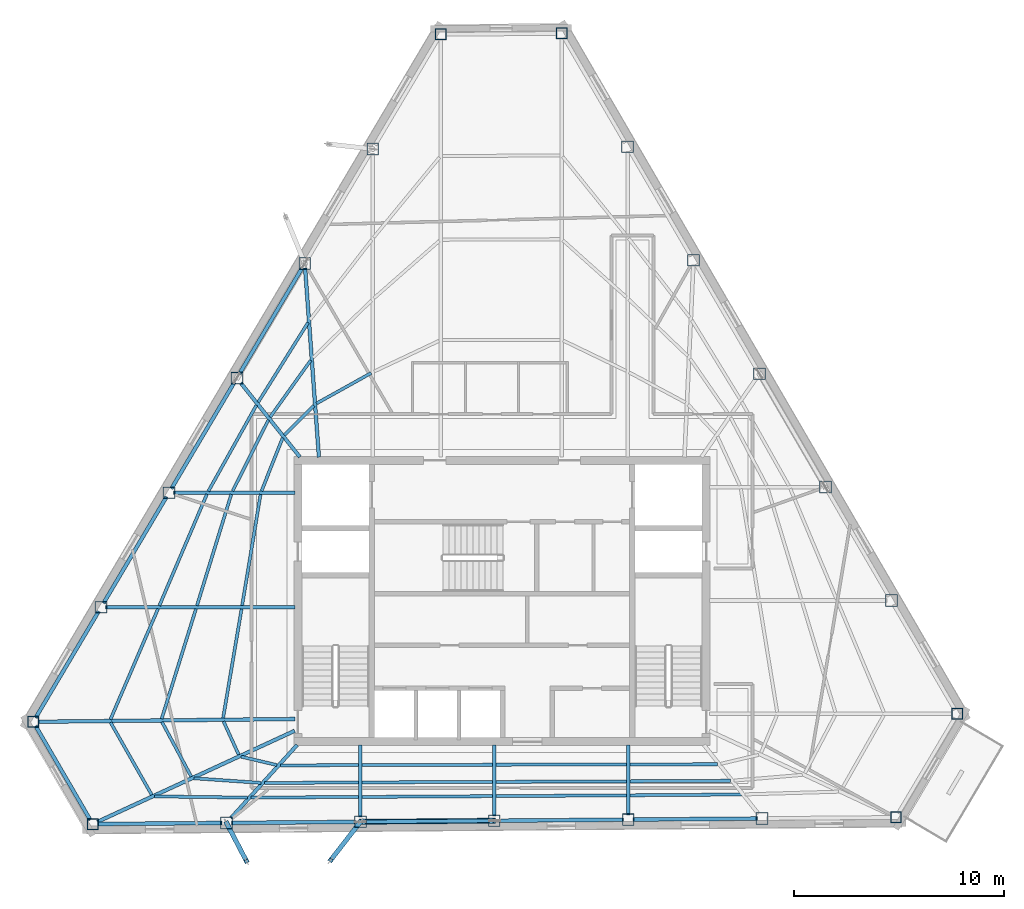
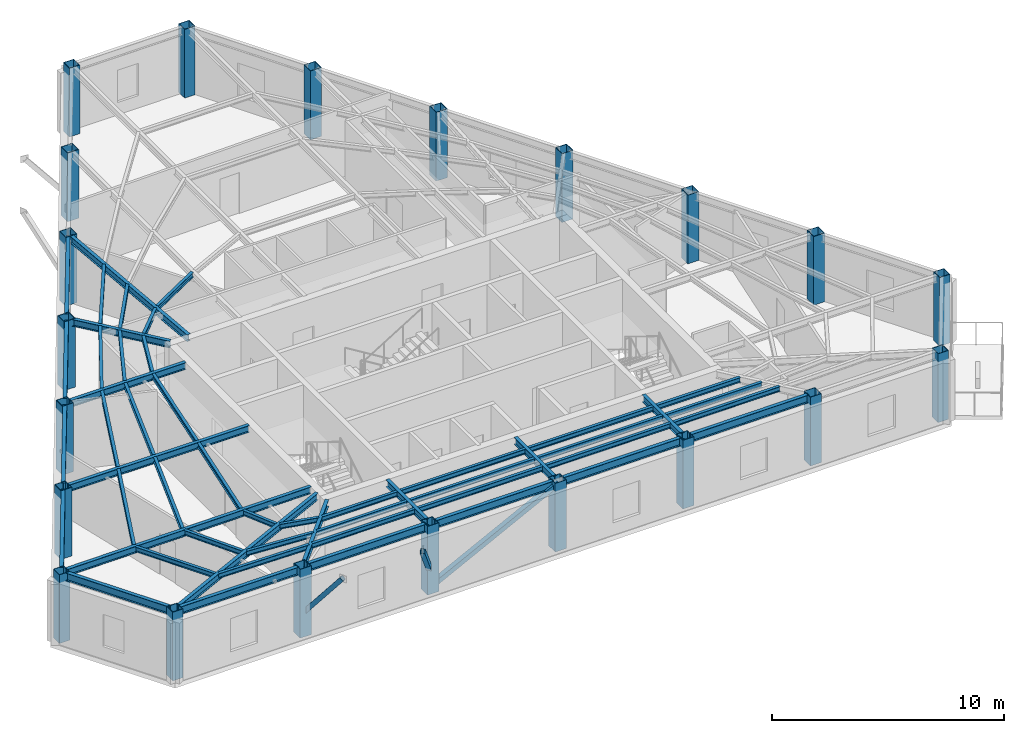
# One storey, part 1 of 10: 51 beams, 21 columns, 3 members.
"""IFC4 building model written with IfcOpenShell, lengths in metres."""

from ifc_helpers import new_model, si_unit, direction, frame, origin, origin_2d, place, context, subcontext, project, spatial, hollow_rectangle, i_section, extrude, material, material_profile, profile_set, type_object, element, save


model = new_model("IFC4")

# Units and contexts
model_context = context("Model", 3, precision=1e-05, world=origin(), true_north=direction((0.0, 1.0)))
body_context = subcontext(model_context, "Body", "Model", "MODEL_VIEW")
ifc_project = project(units=[si_unit("LENGTHUNIT", "METRE"), si_unit("AREAUNIT", "SQUARE_METRE"), si_unit("VOLUMEUNIT", "CUBIC_METRE"), si_unit("PLANEANGLEUNIT", "RADIAN"), si_unit("MASSUNIT", "GRAM", prefix="KILO")], contexts=[model_context])

# Site, building, storey
site_placement = place(None, origin())
site = spatial("IfcSite", under=ifc_project, at=site_placement, CompositionType="ELEMENT")
building_placement = place(site_placement, origin())
building = spatial("IfcBuilding", under=site, at=building_placement, Name="Kavelnor Concourse Tower", CompositionType="ELEMENT")
storey_placement = place(building_placement, frame((0.0, 0.0, 281.85009765625)))
storey = spatial("IfcBuildingStorey", under=building, at=storey_placement, Name="L71", CompositionType="ELEMENT", Elevation=281.85009765625)

# Columns
ifc_material = material(Name="Steel Grade 350", Category="steel")
ifc_material_profile_1 = material_profile(ifc_material, hollow_rectangle(XDim=0.52001953125, YDim=0.52001953125, WallThickness=0.02392578125, at=origin_2d()), Name="SHS 520x520x24")
ifc_profile_set_1 = profile_set([ifc_material_profile_1], Name="Steel Grade 350")
column_type_1 = type_object("IfcColumnType", Name="COL-FOLD-Z4", PredefinedType="COLUMN", material=ifc_profile_set_1)
for number, where, z_axis, x_axis, name in (
    (1, (35.074951171875, 43.052490234375, 0.0), (0.0, 0.0, 1.0), (1.0, 0.0, 0.0), "L71 Perimeter Corner-Fold Column F0-B0"),
    (2, (15.697509765625, 10.352294921875, 0.0), (0.0, 0.0, 1.0), (1.0, 0.0, 0.0), "L71 Perimeter Corner-Fold Column F0-B6"),
    (3, (18.525146484375, 5.4892578125, 0.0), (0.0, 0.0, 1.0), (1.0, 0.0, 0.0), "L71 Perimeter Corner-Fold Column F1-B0"),
    (4, (56.7392578125, 5.804931640625, 0.0), (0.0, 0.0, 1.0), (1.0, 0.0, 0.0), "L71 Perimeter Corner-Fold Column F1-B6"),
    (5, (59.6572265625, 10.7294921875, 0.0), (0.0, 0.0, 1.0), (1.0, 0.0, 0.0), "L71 Perimeter Corner-Fold Column F2-B0"),
    (6, (40.834716796875, 43.10009765625, 0.0), (0.0, 0.0, 1.0), (1.0, 0.0, 0.0), "L71 Perimeter Corner-Fold Column F2-B6"),
):
    element("IfcColumn", number, at=place(storey_placement, frame(where, z_axis=z_axis, x_axis=x_axis)), inside=storey, type_object=column_type_1, Name=name, PredefinedType="COLUMN", context=body_context, shape_type="SweptSolid", body=[
        extrude(hollow_rectangle(XDim=0.52001953125, YDim=0.52001953125, WallThickness=0.02392578125, at=origin_2d()), origin(), (0.0, 0.0, 1.0), 3.60986328125),
    ])
ifc_material_profile_2 = material_profile(ifc_material, hollow_rectangle(XDim=0.56005859375, YDim=0.56005859375, WallThickness=0.02490234375, at=origin_2d()), Name="SHS 560x560x25")
ifc_profile_set_2 = profile_set([ifc_material_profile_2], Name="Steel Grade 350")
column_type_2 = type_object("IfcColumnType", Name="COL-TUBE-Z4", PredefinedType="COLUMN", material=ifc_profile_set_2)
for number, where, z_axis, x_axis, name in (
    (7, (31.84521484375, 37.6025390625, 0.0), (0.0, 0.0, 1.0), (1.0, 0.0, 0.0), "L71 Perimeter Framed-Tube Column F0-B1"),
    (8, (28.61572265625, 32.152587890625, 0.0), (0.0, 0.0, 1.0), (1.0, 0.0, 0.0), "L71 Perimeter Framed-Tube Column F0-B2"),
    (9, (25.38623046875, 26.702392578125, 0.0), (0.0, 0.0, 1.0), (1.0, 0.0, 0.0), "L71 Perimeter Framed-Tube Column F0-B3"),
    (10, (22.156494140625, 21.25244140625, 0.0), (0.0, 0.0, 1.0), (1.0, 0.0, 0.0), "L71 Perimeter Framed-Tube Column F0-B4"),
    (11, (18.927001953125, 15.802490234375, 0.0), (0.0, 0.0, 1.0), (1.0, 0.0, 0.0), "L71 Perimeter Framed-Tube Column F0-B5"),
    (12, (24.894287109375, 5.541748046875, 0.0), (0.0, 0.0, 1.0), (1.0, 0.0, 0.0), "L71 Perimeter Framed-Tube Column F1-B1"),
    (13, (31.26318359375, 5.594482421875, 0.0), (0.0, 0.0, 1.0), (1.0, 0.0, 0.0), "L71 Perimeter Framed-Tube Column F1-B2"),
    (14, (37.632080078125, 5.647216796875, 0.0), (0.0, 0.0, 1.0), (1.0, 0.0, 0.0), "L71 Perimeter Framed-Tube Column F1-B3"),
    (15, (44.001220703125, 5.69970703125, 0.0), (0.0, 0.0, 1.0), (1.0, 0.0, 0.0), "L71 Perimeter Framed-Tube Column F1-B4"),
    (16, (50.3701171875, 5.75244140625, 0.0), (0.0, 0.0, 1.0), (1.0, 0.0, 0.0), "L71 Perimeter Framed-Tube Column F1-B5"),
    (17, (56.520263671875, 16.12451171875, 0.0), (0.0, 0.0, 1.0), (1.0, 0.0, 0.0), "L71 Perimeter Framed-Tube Column F2-B1"),
    (18, (53.383056640625, 21.519775390625, 0.0), (0.0, 0.0, 1.0), (1.0, 0.0, 0.0), "L71 Perimeter Framed-Tube Column F2-B2"),
    (19, (50.24609375, 26.914794921875, 0.0), (0.0, 0.0, 1.0), (1.0, 0.0, 0.0), "L71 Perimeter Framed-Tube Column F2-B3"),
    (20, (47.10888671875, 32.309814453125, 0.0), (0.0, 0.0, 1.0), (1.0, 0.0, 0.0), "L71 Perimeter Framed-Tube Column F2-B4"),
    (21, (43.971923828125, 37.705078125, 0.0), (0.0, 0.0, 1.0), (1.0, 0.0, 0.0), "L71 Perimeter Framed-Tube Column F2-B5"),
):
    element("IfcColumn", number, at=place(storey_placement, frame(where, z_axis=z_axis, x_axis=x_axis)), inside=storey, type_object=column_type_2, Name=name, PredefinedType="COLUMN", context=body_context, shape_type="SweptSolid", body=[
        extrude(hollow_rectangle(XDim=0.56005859375, YDim=0.56005859375, WallThickness=0.02490234375, at=origin_2d()), origin(), (0.0, 0.0, 1.0), 3.60986328125),
    ])

# Beams
ifc_material_profile_3 = material_profile(ifc_material, i_section(OverallWidth=0.14599609375, OverallDepth=0.256103515625, WebThickness=0.00634765625, FlangeThickness=0.010986328125, at=origin_2d()), Name="250UB37")
ifc_profile_set_3 = profile_set([ifc_material_profile_3], Name="Steel Grade 350")
beam_type_1 = type_object("IfcBeamType", Name="BM-JOIST-250", PredefinedType="JOIST", material=ifc_profile_set_3)
beam_1_placement = place(storey_placement, frame((25.6083984375, 15.721435546875, 3.48193359375), z_axis=(-0.166624557773, -0.986020413961, 0.0), x_axis=(0.986020413961, -0.166624557773, 0.0)))
element("IfcBeam", 22, at=beam_1_placement, inside=storey, type_object=beam_type_1, Name="L71 Secondary Composite Joist 01-1", PredefinedType="JOIST", context=body_context, shape_type="SweptSolid", body=[
    extrude(i_section(OverallWidth=0.14599609375, OverallDepth=0.256103515625, WebThickness=0.00634765625, FlangeThickness=0.010986328125, at=origin_2d()), origin(), (0.0, 0.0, 1.0), 5.264404296875),
])
beam_2_placement = place(storey_placement, frame((23.439208984375, 15.72412109375, 3.48193359375), z_axis=(-0.297764714035, -0.954639290557, 0.0), x_axis=(0.954639290557, -0.297764714035, 0.0)))
element("IfcBeam", 23, at=beam_2_placement, inside=storey, type_object=beam_type_1, Name="L71 Secondary Composite Joist 01-2", PredefinedType="JOIST", context=body_context, shape_type="SweptSolid", body=[
    extrude(i_section(OverallWidth=0.14599609375, OverallDepth=0.256103515625, WebThickness=0.00634765625, FlangeThickness=0.010986328125, at=origin_2d()), origin(), (0.0, 0.0, 1.0), 5.47607421875),
])
beam_3_placement = place(storey_placement, frame((21.6328125, 15.72705078125, 3.48193359375), z_axis=(-0.394871195301, -0.918736490579, 0.0), x_axis=(0.918736490579, -0.394871195301, 0.0)))
element("IfcBeam", 24, at=beam_3_placement, inside=storey, type_object=beam_type_1, Name="L71 Secondary Composite Joist 01-3", PredefinedType="JOIST", context=body_context, shape_type="SweptSolid", body=[
    extrude(i_section(OverallWidth=0.14599609375, OverallDepth=0.256103515625, WebThickness=0.00634765625, FlangeThickness=0.010986328125, at=origin_2d()), origin(), (0.0, 0.0, 1.0), 5.725341796875),
])
beam_4_placement = place(storey_placement, frame((24.751708984375, 10.375, 3.48193359375), z_axis=(0.413992739976, -0.910280182827, 0.0), x_axis=(0.910280182827, 0.413992739976, 0.0)))
element("IfcBeam", 25, at=beam_4_placement, inside=storey, type_object=beam_type_1, Name="L71 Secondary Composite Joist 02-1", PredefinedType="JOIST", context=body_context, shape_type="SweptSolid", body=[
    extrude(i_section(OverallWidth=0.14599609375, OverallDepth=0.256103515625, WebThickness=0.00634765625, FlangeThickness=0.010986328125, at=origin_2d()), origin(), (0.0, 0.0, 1.0), 1.744384765625),
])
beam_5_placement = place(storey_placement, frame((21.822998046875, 10.345703125, 3.48193359375), z_axis=(0.472159411944, -0.881513181815, 0.0), x_axis=(0.881513181815, 0.472159411944, 0.0)))
element("IfcBeam", 26, at=beam_5_placement, inside=storey, type_object=beam_type_1, Name="L71 Secondary Composite Joist 02-2", PredefinedType="JOIST", context=body_context, shape_type="SweptSolid", body=[
    extrude(i_section(OverallWidth=0.14599609375, OverallDepth=0.256103515625, WebThickness=0.00634765625, FlangeThickness=0.010986328125, at=origin_2d()), origin(), (0.0, 0.0, 1.0), 2.950439453125),
])
beam_6_placement = place(storey_placement, frame((19.380126953125, 10.3203125, 3.48193359375), z_axis=(0.494099431977, -0.869405401019, 0.0), x_axis=(0.869405401019, 0.494099431977, 0.0)))
element("IfcBeam", 27, at=beam_6_placement, inside=storey, type_object=beam_type_1, Name="L71 Secondary Composite Joist 02-3", PredefinedType="JOIST", context=body_context, shape_type="SweptSolid", body=[
    extrude(i_section(OverallWidth=0.14599609375, OverallDepth=0.256103515625, WebThickness=0.00634765625, FlangeThickness=0.010986328125, at=origin_2d()), origin(), (0.0, 0.0, 1.0), 3.960205078125),
])
beam_7_placement = place(storey_placement, frame((25.587646484375, 8.69384765625, 3.48193359375), z_axis=(0.973536189476, -0.228532903057, 0.0), x_axis=(0.228532903057, 0.973536189476, 0.0)))
element("IfcBeam", 28, at=beam_7_placement, inside=storey, type_object=beam_type_1, Name="L71 Secondary Composite Joist 03-1", PredefinedType="JOIST", context=body_context, shape_type="SweptSolid", body=[
    extrude(i_section(OverallWidth=0.14599609375, OverallDepth=0.256103515625, WebThickness=0.00634765625, FlangeThickness=0.010986328125, at=origin_2d()), origin(), (0.0, 0.0, 1.0), 1.74658203125),
])
beam_8_placement = place(storey_placement, frame((23.336669921875, 7.6669921875, 3.48193359375), z_axis=(0.99763736154, -0.068700035367, 0.0), x_axis=(0.068700035367, 0.99763736154, 0.0)))
element("IfcBeam", 29, at=beam_8_placement, inside=storey, type_object=beam_type_1, Name="L71 Secondary Composite Joist 03-2", PredefinedType="JOIST", context=body_context, shape_type="SweptSolid", body=[
    extrude(i_section(OverallWidth=0.14599609375, OverallDepth=0.256103515625, WebThickness=0.00634765625, FlangeThickness=0.010986328125, at=origin_2d()), origin(), (0.0, 0.0, 1.0), 3.201904296875),
])
beam_9_placement = place(storey_placement, frame((21.45947265625, 6.8046875, 3.48193359375), z_axis=(0.999915178233, -0.013024451621, 0.0), x_axis=(0.013024451621, 0.999915178233, 0.0)))
element("IfcBeam", 30, at=beam_9_placement, inside=storey, type_object=beam_type_1, Name="L71 Secondary Composite Joist 03-3", PredefinedType="JOIST", context=body_context, shape_type="SweptSolid", body=[
    extrude(i_section(OverallWidth=0.14599609375, OverallDepth=0.256103515625, WebThickness=0.00634765625, FlangeThickness=0.010986328125, at=origin_2d()), origin(), (0.0, 0.0, 1.0), 4.442626953125),
])
beam_10_placement = place(storey_placement, frame((27.449951171875, 8.2763671875, 3.48193359375), z_axis=(0.999987635632, 0.004972784159, 0.0), x_axis=(-0.004972784159, 0.999987635632, 0.0)))
element("IfcBeam", 31, at=beam_10_placement, inside=storey, type_object=beam_type_1, Name="L71 Secondary Composite Joist 04-1", PredefinedType="JOIST", context=body_context, shape_type="SweptSolid", body=[
    extrude(i_section(OverallWidth=0.14599609375, OverallDepth=0.256103515625, WebThickness=0.00634765625, FlangeThickness=0.010986328125, at=origin_2d()), origin(), (0.0, 0.0, 1.0), 3.731201171875),
])
beam_11_placement = place(storey_placement, frame((26.69482421875, 7.44189453125, 3.48193359375), z_axis=(0.999983047859, 0.005822713655, 0.0), x_axis=(-0.005822713655, 0.999983047859, 0.0)))
element("IfcBeam", 32, at=beam_11_placement, inside=storey, type_object=beam_type_1, Name="L71 Secondary Composite Joist 04-2", PredefinedType="JOIST", context=body_context, shape_type="SweptSolid", body=[
    extrude(i_section(OverallWidth=0.14599609375, OverallDepth=0.256103515625, WebThickness=0.00634765625, FlangeThickness=0.010986328125, at=origin_2d()), origin(), (0.0, 0.0, 1.0), 4.486328125),
])
beam_12_placement = place(storey_placement, frame((26.0654296875, 6.746337890625, 3.48193359375), z_axis=(0.999979856901, 0.006347108951, 0.0), x_axis=(-0.006347108951, 0.999979856901, 0.0)))
element("IfcBeam", 33, at=beam_12_placement, inside=storey, type_object=beam_type_1, Name="L71 Secondary Composite Joist 04-3", PredefinedType="JOIST", context=body_context, shape_type="SweptSolid", body=[
    extrude(i_section(OverallWidth=0.14599609375, OverallDepth=0.256103515625, WebThickness=0.00634765625, FlangeThickness=0.010986328125, at=origin_2d()), origin(), (0.0, 0.0, 1.0), 5.11572265625),
])
for number, where, z_axis, x_axis, name in (
    (34, (31.34521484375, 8.29541015625, 3.48193359375), (0.999997305626, 0.002321366109, 0.0), (-0.002321366109, 0.999997305626, 0.0), "L71 Secondary Composite Joist 05-1"),
    (35, (31.34521484375, 7.46875, 3.48193359375), (0.999990803923, 0.00428859764, 0.0), (-0.00428859764, 0.999990803923, 0.0), "L71 Secondary Composite Joist 05-2"),
    (36, (31.34521484375, 6.77978515625, 3.48193359375), (0.999982351898, 0.00594103459, 0.0), (-0.00594103459, 0.999982351898, 0.0), "L71 Secondary Composite Joist 05-3"),
    (37, (37.714111328125, 8.310302734375, 3.48193359375), (0.999997396186, 0.002282021128, 0.0), (-0.002282021128, 0.999997396186, 0.0), "L71 Secondary Composite Joist 06-1"),
    (38, (37.714111328125, 7.49609375, 3.48193359375), (0.999990803923, 0.00428859764, 0.0), (-0.00428859764, 0.999990803923, 0.0), "L71 Secondary Composite Joist 06-2"),
    (39, (37.714111328125, 6.817626953125, 3.48193359375), (0.999982351898, 0.00594103459, 0.0), (-0.00594103459, 0.999982351898, 0.0), "L71 Secondary Composite Joist 06-3"),
):
    element("IfcBeam", number, at=place(storey_placement, frame(where, z_axis=z_axis, x_axis=x_axis)), inside=storey, type_object=beam_type_1, Name=name, PredefinedType="JOIST", context=body_context, shape_type="SweptSolid", body=[
        extrude(i_section(OverallWidth=0.14599609375, OverallDepth=0.256103515625, WebThickness=0.00634765625, FlangeThickness=0.010986328125, at=origin_2d()), origin(), (0.0, 0.0, 1.0), 6.205078125),
    ])
beam_13_placement = place(storey_placement, frame((44.083251953125, 8.324951171875, 3.48193359375), z_axis=(0.999996822398, 0.002520951126, 0.0), x_axis=(-0.002520951126, 0.999996822398, 0.0)))
element("IfcBeam", 40, at=beam_13_placement, inside=storey, type_object=beam_type_1, Name="L71 Secondary Composite Joist 07-1", PredefinedType="JOIST", context=body_context, shape_type="SweptSolid", body=[
    extrude(i_section(OverallWidth=0.14599609375, OverallDepth=0.256103515625, WebThickness=0.00634765625, FlangeThickness=0.010986328125, at=origin_2d()), origin(), (0.0, 0.0, 1.0), 4.164306640625),
])
beam_14_placement = place(storey_placement, frame((44.083251953125, 7.5234375, 3.48193359375), z_axis=(0.999984246904, 0.005613015623, 0.0), x_axis=(-0.005613015623, 0.999984246904, 0.0)))
element("IfcBeam", 41, at=beam_14_placement, inside=storey, type_object=beam_type_1, Name="L71 Secondary Composite Joist 07-2", PredefinedType="JOIST", context=body_context, shape_type="SweptSolid", body=[
    extrude(i_section(OverallWidth=0.14599609375, OverallDepth=0.256103515625, WebThickness=0.00634765625, FlangeThickness=0.010986328125, at=origin_2d()), origin(), (0.0, 0.0, 1.0), 4.784423828125),
])
beam_15_placement = place(storey_placement, frame((44.083251953125, 6.855712890625, 3.48193359375), z_axis=(0.99997112783, 0.007598914756, 0.0), x_axis=(-0.007598914756, 0.99997112783, 0.0)))
element("IfcBeam", 42, at=beam_15_placement, inside=storey, type_object=beam_type_1, Name="L71 Secondary Composite Joist 07-3", PredefinedType="JOIST", context=body_context, shape_type="SweptSolid", body=[
    extrude(i_section(OverallWidth=0.14599609375, OverallDepth=0.256103515625, WebThickness=0.00634765625, FlangeThickness=0.010986328125, at=origin_2d()), origin(), (0.0, 0.0, 1.0), 5.30126953125),
])
beam_16_placement = place(storey_placement, frame((31.773681640625, 26.944091796875, 3.48193359375), z_axis=(-0.8736492785, -0.486556202485, 0.0), x_axis=(0.486556202485, -0.8736492785, 0.0)))
element("IfcBeam", 43, at=beam_16_placement, inside=storey, type_object=beam_type_1, Name="L71 Secondary Composite Joist 18-1", PredefinedType="JOIST", context=body_context, shape_type="SweptSolid", body=[
    extrude(i_section(OverallWidth=0.14599609375, OverallDepth=0.256103515625, WebThickness=0.00634765625, FlangeThickness=0.010986328125, at=origin_2d()), origin(), (0.0, 0.0, 1.0), 2.972412109375),
])
beam_17_placement = place(storey_placement, frame((29.04736328125, 25.399658203125, 3.48193359375), z_axis=(-0.704265292647, -0.709936896895, 0.0), x_axis=(0.709936896895, -0.704265292647, 0.0)))
element("IfcBeam", 44, at=beam_17_placement, inside=storey, type_object=beam_type_1, Name="L71 Secondary Composite Joist 19-1", PredefinedType="JOIST", context=body_context, shape_type="SweptSolid", body=[
    extrude(i_section(OverallWidth=0.14599609375, OverallDepth=0.256103515625, WebThickness=0.00634765625, FlangeThickness=0.010986328125, at=origin_2d()), origin(), (0.0, 0.0, 1.0), 1.980224609375),
])
beam_18_placement = place(storey_placement, frame((28.899658203125, 27.54931640625, 3.48193359375), z_axis=(-0.581863884853, -0.813286185487, 0.0), x_axis=(0.813286185487, -0.581863884853, 0.0)))
element("IfcBeam", 45, at=beam_18_placement, inside=storey, type_object=beam_type_1, Name="L71 Secondary Composite Joist 19-2", PredefinedType="JOIST", context=body_context, shape_type="SweptSolid", body=[
    extrude(i_section(OverallWidth=0.14599609375, OverallDepth=0.256103515625, WebThickness=0.00634765625, FlangeThickness=0.010986328125, at=origin_2d()), origin(), (0.0, 0.0, 1.0), 3.321044921875),
])
beam_19_placement = place(storey_placement, frame((28.7724609375, 29.34521484375, 3.48193359375), z_axis=(-0.530651723524, -0.847589964736, 0.0), x_axis=(0.847589964736, -0.530651723524, 0.0)))
element("IfcBeam", 46, at=beam_19_placement, inside=storey, type_object=beam_type_1, Name="L71 Secondary Composite Joist 19-3", PredefinedType="JOIST", context=body_context, shape_type="SweptSolid", body=[
    extrude(i_section(OverallWidth=0.14599609375, OverallDepth=0.256103515625, WebThickness=0.00634765625, FlangeThickness=0.010986328125, at=origin_2d()), origin(), (0.0, 0.0, 1.0), 4.47021484375),
])
beam_20_placement = place(storey_placement, frame((27.564697265625, 23.859619140625, 3.48193359375), z_axis=(-0.370015161539, -0.929025715592, 0.0), x_axis=(0.929025715592, -0.370015161539, 0.0)))
element("IfcBeam", 47, at=beam_20_placement, inside=storey, type_object=beam_type_1, Name="L71 Secondary Composite Joist 20-1", PredefinedType="JOIST", context=body_context, shape_type="SweptSolid", body=[
    extrude(i_section(OverallWidth=0.14599609375, OverallDepth=0.256103515625, WebThickness=0.00634765625, FlangeThickness=0.010986328125, at=origin_2d()), origin(), (0.0, 0.0, 1.0), 2.724365234375),
])
beam_21_placement = place(storey_placement, frame((26.8828125, 24.70849609375, 3.48193359375), z_axis=(-0.449635796527, -0.893211985187, 0.0), x_axis=(0.893211985187, -0.449635796527, 0.0)))
element("IfcBeam", 48, at=beam_21_placement, inside=storey, type_object=beam_type_1, Name="L71 Secondary Composite Joist 20-2", PredefinedType="JOIST", context=body_context, shape_type="SweptSolid", body=[
    extrude(i_section(OverallWidth=0.14599609375, OverallDepth=0.256103515625, WebThickness=0.00634765625, FlangeThickness=0.010986328125, at=origin_2d()), origin(), (0.0, 0.0, 1.0), 3.787353515625),
])
beam_22_placement = place(storey_placement, frame((26.31689453125, 25.415283203125, 3.48193359375), z_axis=(-0.48785288112, -0.872925865342, 0.0), x_axis=(0.872925865342, -0.48785288112, 0.0)))
element("IfcBeam", 49, at=beam_22_placement, inside=storey, type_object=beam_type_1, Name="L71 Secondary Composite Joist 20-3", PredefinedType="JOIST", context=body_context, shape_type="SweptSolid", body=[
    extrude(i_section(OverallWidth=0.14599609375, OverallDepth=0.256103515625, WebThickness=0.00634765625, FlangeThickness=0.010986328125, at=origin_2d()), origin(), (0.0, 0.0, 1.0), 4.6865234375),
])
beam_23_placement = place(storey_placement, frame((26.5126953125, 21.171630859375, 3.48193359375), z_axis=(-0.163638236826, -0.986520414106, 0.0), x_axis=(0.986520414106, -0.163638236826, 0.0)))
element("IfcBeam", 50, at=beam_23_placement, inside=storey, type_object=beam_type_1, Name="L71 Secondary Composite Joist 21-1", PredefinedType="JOIST", context=body_context, shape_type="SweptSolid", body=[
    extrude(i_section(OverallWidth=0.14599609375, OverallDepth=0.256103515625, WebThickness=0.00634765625, FlangeThickness=0.010986328125, at=origin_2d()), origin(), (0.0, 0.0, 1.0), 5.360595703125),
])
beam_24_placement = place(storey_placement, frame((25.118896484375, 21.174072265625, 3.48193359375), z_axis=(-0.294485384615, -0.955655983212, 0.0), x_axis=(0.955655983212, -0.294485384615, 0.0)))
element("IfcBeam", 51, at=beam_24_placement, inside=storey, type_object=beam_type_1, Name="L71 Secondary Composite Joist 21-2", PredefinedType="JOIST", context=body_context, shape_type="SweptSolid", body=[
    extrude(i_section(OverallWidth=0.14599609375, OverallDepth=0.256103515625, WebThickness=0.00634765625, FlangeThickness=0.010986328125, at=origin_2d()), origin(), (0.0, 0.0, 1.0), 5.538818359375),
])
beam_25_placement = place(storey_placement, frame((23.958251953125, 21.177001953125, 3.48193359375), z_axis=(-0.39243055937, -0.919781634994, 0.0), x_axis=(0.919781634994, -0.39243055937, 0.0)))
element("IfcBeam", 52, at=beam_25_placement, inside=storey, type_object=beam_type_1, Name="L71 Secondary Composite Joist 21-3", PredefinedType="JOIST", context=body_context, shape_type="SweptSolid", body=[
    extrude(i_section(OverallWidth=0.14599609375, OverallDepth=0.256103515625, WebThickness=0.00634765625, FlangeThickness=0.010986328125, at=origin_2d()), origin(), (0.0, 0.0, 1.0), 5.761474609375),
])
ifc_material_profile_4 = material_profile(ifc_material, i_section(OverallWidth=0.172119140625, OverallDepth=0.35888671875, WebThickness=0.008056640625, FlangeThickness=0.012939453125, at=origin_2d()), Name="360UB56")
ifc_profile_set_4 = profile_set([ifc_material_profile_4], Name="Steel Grade 350")
beam_type_2 = type_object("IfcBeamType", Name="BM-PRIMARY-360", PredefinedType="BEAM", material=ifc_profile_set_4)
beam_26_placement = place(storey_placement, frame((29.289306640625, 22.940185546875, 3.430419921875), z_axis=(-0.072921113641, 0.997337711703, 0.0), x_axis=(-0.997337711703, -0.072921113641, 0.0)))
element("IfcBeam", 53, at=beam_26_placement, inside=storey, type_object=beam_type_2, Name="L71 Primary Floor Girder F0-B2", PredefinedType="BEAM", context=body_context, shape_type="SweptSolid", body=[
    extrude(i_section(OverallWidth=0.172119140625, OverallDepth=0.35888671875, WebThickness=0.008056640625, FlangeThickness=0.012939453125, at=origin_2d()), origin(), (0.0, 0.0, 1.0), 9.01611328125),
])
beam_27_placement = place(storey_placement, frame((28.383056640625, 22.94873046875, 3.430419921875), z_axis=(-0.623896050638, 0.781507337136, 0.0), x_axis=(-0.781507337136, -0.623896050638, 0.0)))
element("IfcBeam", 54, at=beam_27_placement, inside=storey, type_object=beam_type_2, Name="L71 Primary Floor Girder F0-B3", PredefinedType="BEAM", context=body_context, shape_type="SweptSolid", body=[
    extrude(i_section(OverallWidth=0.172119140625, OverallDepth=0.35888671875, WebThickness=0.008056640625, FlangeThickness=0.012939453125, at=origin_2d()), origin(), (0.0, 0.0, 1.0), 4.5107421875),
])
beam_28_placement = place(storey_placement, frame((28.139892578125, 21.25244140625, 3.430419921875), z_axis=(-1.0, 0.0, 0.0), x_axis=(0.0, -1.0, 0.0)))
element("IfcBeam", 55, at=beam_28_placement, inside=storey, type_object=beam_type_2, Name="L71 Primary Floor Girder F0-B4", PredefinedType="BEAM", context=body_context, shape_type="SweptSolid", body=[
    extrude(i_section(OverallWidth=0.172119140625, OverallDepth=0.35888671875, WebThickness=0.008056640625, FlangeThickness=0.012939453125, at=origin_2d()), origin(), (0.0, 0.0, 1.0), 5.76318359375),
])
beam_29_placement = place(storey_placement, frame((28.139892578125, 15.802490234375, 3.430419921875), z_axis=(-1.0, 0.0, 0.0), x_axis=(0.0, -1.0, 0.0)))
element("IfcBeam", 56, at=beam_29_placement, inside=storey, type_object=beam_type_2, Name="L71 Primary Floor Girder F0-B5", PredefinedType="BEAM", context=body_context, shape_type="SweptSolid", body=[
    extrude(i_section(OverallWidth=0.172119140625, OverallDepth=0.35888671875, WebThickness=0.008056640625, FlangeThickness=0.012939453125, at=origin_2d()), origin(), (0.0, 0.0, 1.0), 8.992919921875),
])
beam_30_placement = place(storey_placement, frame((28.139892578125, 10.486572265625, 3.430419921875), z_axis=(-0.999941831765, -0.010785781698, 0.0), x_axis=(0.010785781698, -0.999941831765, 0.0)))
element("IfcBeam", 57, at=beam_30_placement, inside=storey, type_object=beam_type_2, Name="L71 Primary Floor Girder F0-B6", PredefinedType="BEAM", context=body_context, shape_type="SweptSolid", body=[
    extrude(i_section(OverallWidth=0.172119140625, OverallDepth=0.35888671875, WebThickness=0.008056640625, FlangeThickness=0.012939453125, at=origin_2d()), origin(), (0.0, 0.0, 1.0), 12.22314453125),
])
beam_31_placement = place(storey_placement, frame((28.13623046875, 9.92578125, 3.430419921875), z_axis=(-0.907937958966, -0.419104596335, 0.0), x_axis=(0.419104596335, -0.907937958966, 0.0)))
element("IfcBeam", 58, at=beam_31_placement, inside=storey, type_object=beam_type_2, Name="L71 Primary Floor Girder F1-B0", PredefinedType="BEAM", context=body_context, shape_type="SweptSolid", body=[
    extrude(i_section(OverallWidth=0.172119140625, OverallDepth=0.35888671875, WebThickness=0.008056640625, FlangeThickness=0.012939453125, at=origin_2d()), origin(), (0.0, 0.0, 1.0), 10.33935546875),
])
beam_32_placement = place(storey_placement, frame((28.248779296875, 9.249755859375, 3.430419921875), z_axis=(-0.670901055303, -0.741546879161, 0.0), x_axis=(0.741546879161, -0.670901055303, 0.0)))
element("IfcBeam", 59, at=beam_32_placement, inside=storey, type_object=beam_type_2, Name="L71 Primary Floor Girder F1-B1", PredefinedType="BEAM", context=body_context, shape_type="SweptSolid", body=[
    extrude(i_section(OverallWidth=0.172119140625, OverallDepth=0.35888671875, WebThickness=0.008056640625, FlangeThickness=0.012939453125, at=origin_2d()), origin(), (0.0, 0.0, 1.0), 4.689453125),
])
beam_33_placement = place(storey_placement, frame((31.26318359375, 9.260009765625, 3.430419921875), z_axis=(0.0, -1.0, 0.0), x_axis=(1.0, 0.0, 0.0)))
element("IfcBeam", 60, at=beam_33_placement, inside=storey, type_object=beam_type_2, Name="L71 Primary Floor Girder F1-B2", PredefinedType="BEAM", context=body_context, shape_type="SweptSolid", body=[
    extrude(i_section(OverallWidth=0.172119140625, OverallDepth=0.35888671875, WebThickness=0.008056640625, FlangeThickness=0.012939453125, at=origin_2d()), origin(), (0.0, 0.0, 1.0), 3.445556640625),
])
beam_34_placement = place(storey_placement, frame((37.632080078125, 9.260009765625, 3.430419921875), z_axis=(0.0, -1.0, 0.0), x_axis=(1.0, 0.0, 0.0)))
element("IfcBeam", 61, at=beam_34_placement, inside=storey, type_object=beam_type_2, Name="L71 Primary Floor Girder F1-B3", PredefinedType="BEAM", context=body_context, shape_type="SweptSolid", body=[
    extrude(i_section(OverallWidth=0.172119140625, OverallDepth=0.35888671875, WebThickness=0.008056640625, FlangeThickness=0.012939453125, at=origin_2d()), origin(), (0.0, 0.0, 1.0), 3.392822265625),
])
beam_35_placement = place(storey_placement, frame((44.001220703125, 9.260009765625, 3.430419921875), z_axis=(0.0, -1.0, 0.0), x_axis=(1.0, 0.0, 0.0)))
element("IfcBeam", 62, at=beam_35_placement, inside=storey, type_object=beam_type_2, Name="L71 Primary Floor Girder F1-B4", PredefinedType="BEAM", context=body_context, shape_type="SweptSolid", body=[
    extrude(i_section(OverallWidth=0.172119140625, OverallDepth=0.35888671875, WebThickness=0.008056640625, FlangeThickness=0.012939453125, at=origin_2d()), origin(), (0.0, 0.0, 1.0), 3.34033203125),
])
ifc_material_profile_5 = material_profile(ifc_material, i_section(OverallWidth=0.177978515625, OverallDepth=0.406005859375, WebThickness=0.0078125, FlangeThickness=0.0126953125, at=origin_2d()), Name="410UB59")
ifc_profile_set_5 = profile_set([ifc_material_profile_5], Name="Steel Grade 350")
beam_type_3 = type_object("IfcBeamType", Name="BM-SPANDREL-Z4", PredefinedType="SPANDREL", material=ifc_profile_set_5)
for number, where, z_axis, x_axis, name in (
    (63, (28.5009765625, 31.958984375, 3.406982421875), (-0.509766001092, -0.86031309657, 0.0), (0.86031309657, -0.509766001092, 0.0), "L71 Perimeter Tube Spandrel Beam F0-B2"),
    (64, (25.271484375, 26.5087890625, 3.406982421875), (-0.509814899064, -0.860284120912, 0.0), (0.860284120912, -0.509814899064, 0.0), "L71 Perimeter Tube Spandrel Beam F0-B3"),
    (65, (22.0419921875, 21.058837890625, 3.406982421875), (-0.509814899064, -0.860284120912, 0.0), (0.860284120912, -0.509814899064, 0.0), "L71 Perimeter Tube Spandrel Beam F0-B4"),
):
    element("IfcBeam", number, at=place(storey_placement, frame(where, z_axis=z_axis, x_axis=x_axis)), inside=storey, type_object=beam_type_3, Name=name, PredefinedType="SPANDREL", context=body_context, shape_type="SweptSolid", body=[
        extrude(i_section(OverallWidth=0.177978515625, OverallDepth=0.406005859375, WebThickness=0.0078125, FlangeThickness=0.0126953125, at=origin_2d()), origin(), (0.0, 0.0, 1.0), 5.885009765625),
    ])
beam_36_placement = place(storey_placement, frame((18.812255859375, 15.60888671875, 3.406982421875), z_axis=(-0.509796704668, -0.860294902873, 0.0), x_axis=(0.860294902873, -0.509796704668, 0.0)))
element("IfcBeam", 66, at=beam_36_placement, inside=storey, type_object=beam_type_3, Name="L71 Perimeter Tube Spandrel Beam F0-B5", PredefinedType="SPANDREL", context=body_context, shape_type="SweptSolid", body=[
    extrude(i_section(OverallWidth=0.177978515625, OverallDepth=0.406005859375, WebThickness=0.0078125, FlangeThickness=0.0126953125, at=origin_2d()), origin(), (0.0, 0.0, 1.0), 5.88525390625),
])
for number, where, z_axis, x_axis, name in (
    (67, (18.750244140625, 5.4912109375, 3.406982421875), (0.999966314293, 0.008207939966, 0.0), (-0.008207939966, 0.999966314293, 0.0), "L71 Perimeter Tube Spandrel Beam F1-B0"),
    (68, (25.119140625, 5.543701171875, 3.406982421875), (0.99996597491, 0.008249183096, 0.0), (-0.008249183096, 0.99996597491, 0.0), "L71 Perimeter Tube Spandrel Beam F1-B1"),
    (69, (31.48828125, 5.596435546875, 3.406982421875), (0.99996597491, 0.008249183096, 0.0), (-0.008249183096, 0.99996597491, 0.0), "L71 Perimeter Tube Spandrel Beam F1-B2"),
    (70, (37.857177734375, 5.64892578125, 3.406982421875), (0.99996597491, 0.008249183096, 0.0), (-0.008249183096, 0.99996597491, 0.0), "L71 Perimeter Tube Spandrel Beam F1-B3"),
    (71, (44.226318359375, 5.70166015625, 3.406982421875), (0.99996597491, 0.008249183096, 0.0), (-0.008249183096, 0.99996597491, 0.0), "L71 Perimeter Tube Spandrel Beam F1-B4"),
):
    element("IfcBeam", number, at=place(storey_placement, frame(where, z_axis=z_axis, x_axis=x_axis)), inside=storey, type_object=beam_type_3, Name=name, PredefinedType="SPANDREL", context=body_context, shape_type="SweptSolid", body=[
        extrude(i_section(OverallWidth=0.177978515625, OverallDepth=0.406005859375, WebThickness=0.0078125, FlangeThickness=0.0126953125, at=origin_2d()), origin(), (0.0, 0.0, 1.0), 5.919189453125),
    ])
beam_37_placement = place(storey_placement, frame((15.810546875, 10.157958984375, 3.406982421875), z_axis=(0.502647512408, -0.864491456447, 0.0), x_axis=(0.864491456447, 0.502647512408, 0.0)))
element("IfcBeam", 72, at=beam_37_placement, inside=storey, type_object=beam_type_3, Name="L71 Chamfer Facet Spandrel Beam C1", PredefinedType="SPANDREL", context=body_context, shape_type="SweptSolid", body=[
    extrude(i_section(OverallWidth=0.177978515625, OverallDepth=0.406005859375, WebThickness=0.0078125, FlangeThickness=0.0126953125, at=origin_2d()), origin(), (0.0, 0.0, 1.0), 5.17578125),
])

# Members
ifc_material_profile_6 = material_profile(ifc_material, hollow_rectangle(XDim=0.219970703125, YDim=0.219970703125, WallThickness=0.013916015625, at=origin_2d()), Name="SHS 220x220x14")
ifc_profile_set_6 = profile_set([ifc_material_profile_6], Name="Steel Grade 350")
member_type_1 = type_object("IfcMemberType", Name="MBR-BALC-STRUT-220", PredefinedType="STRUT", material=ifc_profile_set_6)
member_1_placement = place(storey_placement, frame((24.894287109375, 5.541748046875, 1.0498046875), z_axis=(0.286093518115, -0.548701747429, 0.785542418499), x_axis=(0.886707854033, 0.462330165138, 0.0)))
element("IfcMember", 73, at=member_1_placement, inside=storey, type_object=member_type_1, Name="L71 Tree Balcony Raking Knee Strut 2-A", PredefinedType="STRUT", context=body_context, shape_type="SweptSolid", body=[
    extrude(hollow_rectangle(XDim=0.219970703125, YDim=0.219970703125, WallThickness=0.013916015625, at=origin_2d()), origin(), (0.0, 0.0, 1.0), 3.316162109375),
])
member_2_placement = place(storey_placement, frame((31.26318359375, 5.594482421875, 1.0498046875), z_axis=(-0.407543176322, -0.524664556661, 0.747419335057), x_axis=(0.789738130271, -0.613444117746, 0.0)))
element("IfcMember", 74, at=member_2_placement, inside=storey, type_object=member_type_1, Name="L71 Tree Balcony Raking Knee Strut 2-B", PredefinedType="STRUT", context=body_context, shape_type="SweptSolid", body=[
    extrude(hollow_rectangle(XDim=0.219970703125, YDim=0.219970703125, WallThickness=0.013916015625, at=origin_2d()), origin(), (0.0, 0.0, 1.0), 3.4853515625),
])
ifc_material_profile_7 = material_profile(ifc_material, hollow_rectangle(XDim=0.25, YDim=0.25, WallThickness=0.01611328125, at=origin_2d()), Name="SHS 250x250x16")
ifc_profile_set_7 = profile_set([ifc_material_profile_7], Name="Steel Grade 350")
member_type_2 = type_object("IfcMemberType", Name="MBR-TUBE-DIAG-Z4", PredefinedType="BRACE", material=ifc_profile_set_7)
member_3_placement = place(storey_placement, frame((31.26318359375, 5.594482421875, 0.219970703125), z_axis=(0.894258650035, 0.007404449282, 0.447489263524), x_axis=(-0.008279702384, 0.999965722677, 0.0)))
element("IfcMember", 75, at=member_3_placement, inside=storey, type_object=member_type_2, Name="L71 Framed-Tube Bracing Diagonal F1-B2", PredefinedType="BRACE", context=body_context, shape_type="SweptSolid", body=[
    extrude(hollow_rectangle(XDim=0.25, YDim=0.25, WallThickness=0.01611328125, at=origin_2d()), origin(), (0.0, 0.0, 1.0), 7.1220703125),
])

save(model, "model.ifc")
